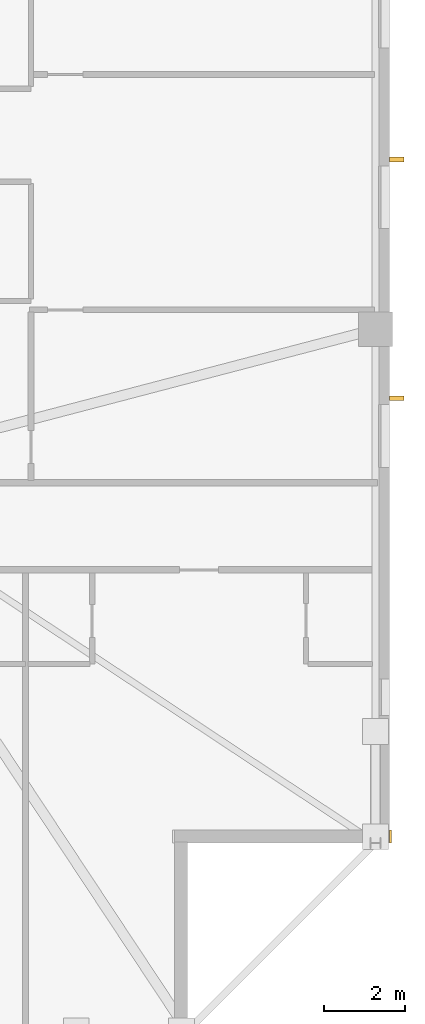
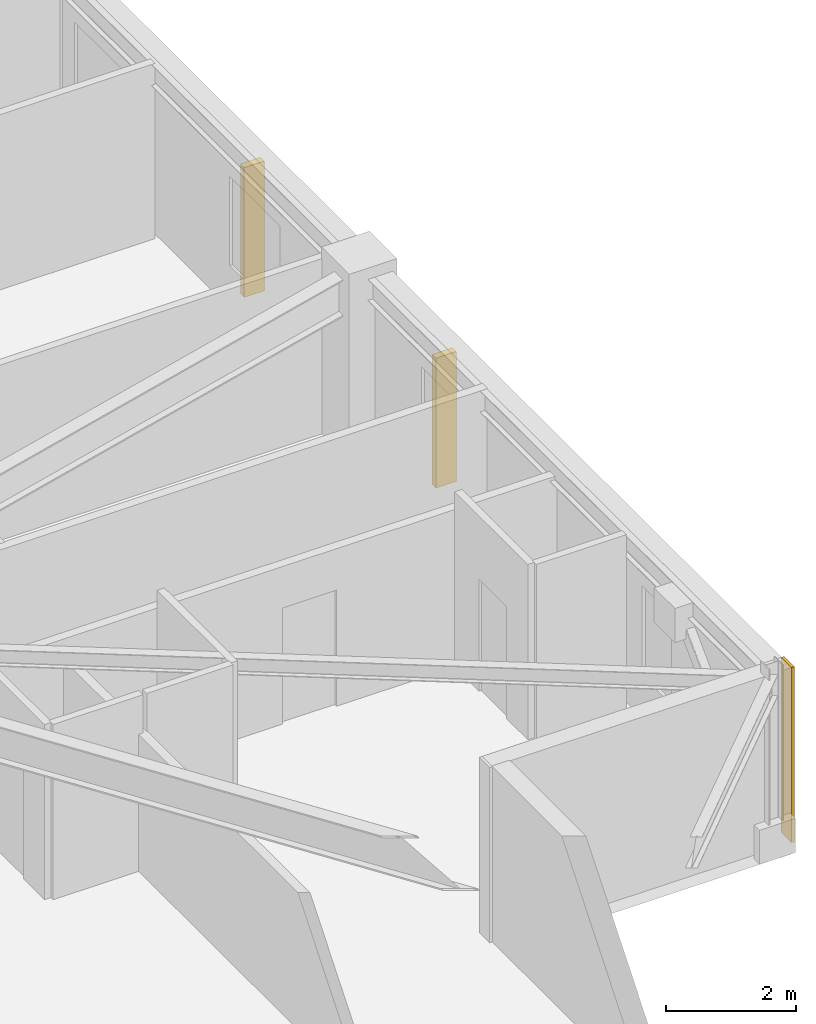
# One storey, part 15 of 17: 2 shading devices, 1 covering.
"""IFC4 building model written with IfcOpenShell, lengths in metres."""

from ifc_helpers import new_model, si_unit, direction, frame, frame_2d, origin, origin_2d, place, context, subcontext, project, spatial, rectangle, extrude, material, layer, layer_set, type_object, element, save


model = new_model("IFC4")

# Units and contexts
model_context = context("Model", 3, precision=1e-05, world=origin(), true_north=direction((0.0, 1.0)))
body_context = subcontext(model_context, "Body", "Model", "MODEL_VIEW")
ifc_project = project(units=[si_unit("LENGTHUNIT", "METRE"), si_unit("AREAUNIT", "SQUARE_METRE"), si_unit("VOLUMEUNIT", "CUBIC_METRE"), si_unit("PLANEANGLEUNIT", "RADIAN"), si_unit("MASSUNIT", "GRAM", prefix="KILO")], contexts=[model_context])

# Site, building, storey
site_placement = place(None, origin())
site = spatial("IfcSite", under=ifc_project, at=site_placement, CompositionType="ELEMENT")
building_placement = place(site_placement, origin())
building = spatial("IfcBuilding", under=site, at=building_placement, Name="Cairnveth Concourse Tower", CompositionType="ELEMENT")
storey_placement = place(building_placement, frame((0.0, 0.0, 248.0)))
storey = spatial("IfcBuildingStorey", under=building, at=storey_placement, Name="L68", CompositionType="ELEMENT", Elevation=248.0)

# Covering
ifc_material_1 = material(Name="Dressed Melbourne Bluestone Cladding", Category="masonry")
ifc_layer = layer(ifc_material_1, 0.050048828125)
ifc_layer_set = layer_set([ifc_layer], Name="Dressed Melbourne Bluestone Cladding")
covering_type = type_object("IfcCoveringType", Name="DRESSED BLUESTONE PLINTH CLADDING 50", PredefinedType="CLADDING", material=ifc_layer_set)
covering_placement = place(storey_placement, frame((74.52001953125, 21.820068359375, 0.0), z_axis=(0.0, 0.0, 1.0), x_axis=(0.0, -1.0, 0.0)))
element("IfcCovering", 1, at=covering_placement, inside=storey, type_object=covering_type, Name="Melbourne Bluestone Corner Quoin L68-1030", PredefinedType="CLADDING", context=body_context, shape_type="SweptSolid", body=[
    extrude(rectangle(XDim=0.320068359375, YDim=0.050048828125, at=frame_2d((0.16015625, 0.0))), origin(), (0.0, 0.0, 1.0), 3.2900390625),
])

# Shading devices
ifc_material_2 = material(Name="Architectural Bronze Anodised Aluminium 6063-T6", Category="aluminium")
shading_device_type = type_object("IfcShadingDeviceType", Name="GOTHIC BRONZE VERTICAL LANCET FIN", PredefinedType="USERDEFINED", material=ifc_material_2)
for number, where, z_axis, x_axis, name in (
    (2, (74.675048828125, 38.396484375, 0.030029296875), (0.0, 0.0, 1.0), (0.0, 1.0, 0.0), "Gothic Bronze Vertical Fin L68-6-5"),
    (3, (74.675048828125, 32.495849609375, 0.030029296875), (0.0, 0.0, 1.0), (0.0, 1.0, 0.0), "Gothic Bronze Vertical Fin L68-6-7"),
):
    element("IfcShadingDevice", number, at=place(storey_placement, frame(where, z_axis=z_axis, x_axis=x_axis)), inside=storey, type_object=shading_device_type, Name=name, ObjectType="VERTICAL FIN", PredefinedType="USERDEFINED", context=body_context, shape_type="SweptSolid", body=[
        extrude(rectangle(XDim=0.1201171875, YDim=0.360107421875, at=origin_2d()), origin(), (0.0, 0.0, 1.0), 2.43798828125),
    ])

save(model, "model.ifc")
